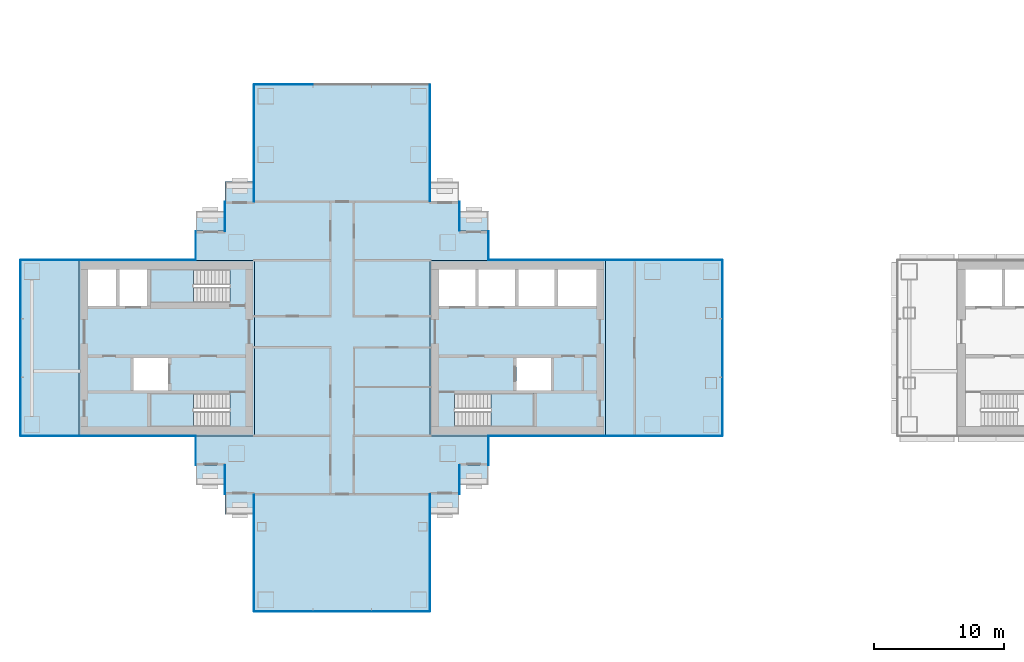
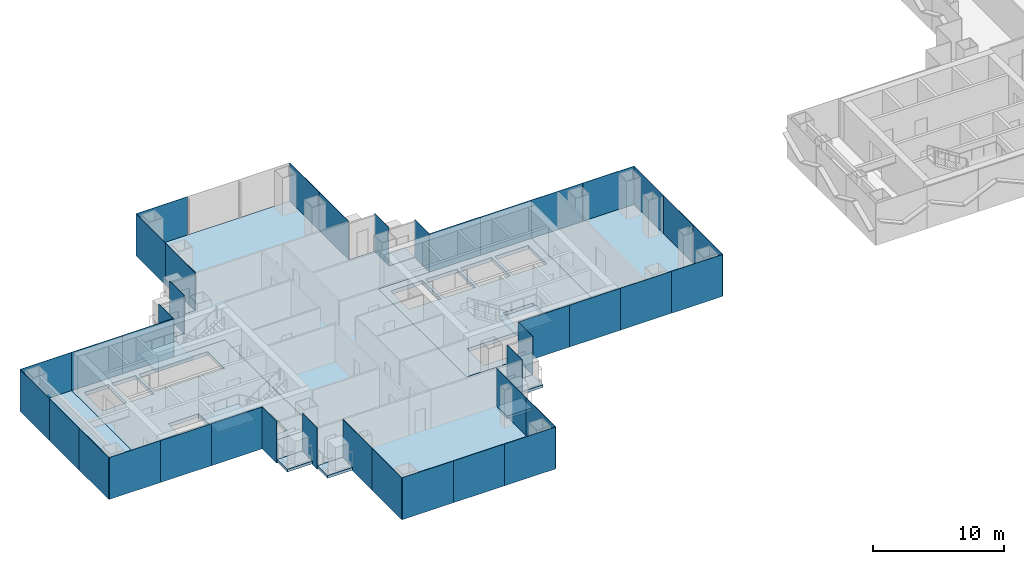
# One storey, part 9 of 20: 40 plates, 15 slabs, 23 elements without a shape of their own.
"""IFC4 building model written with IfcOpenShell, lengths in metres."""

from ifc_helpers import new_model, si_unit, direction, frame, origin, origin_2d, place, context, subcontext, project, spatial, polyline, rectangle, outline, extrude, material, layer, layer_set, type_object, element, aggregate, save


model = new_model("IFC4")

# Units and contexts
model_context = context("Model", 3, precision=1e-05, world=origin(), true_north=direction((0.0, 1.0)))
body_context = subcontext(model_context, "Body", "Model", "MODEL_VIEW")
ifc_project = project(units=[si_unit("LENGTHUNIT", "METRE"), si_unit("AREAUNIT", "SQUARE_METRE"), si_unit("VOLUMEUNIT", "CUBIC_METRE"), si_unit("PLANEANGLEUNIT", "RADIAN"), si_unit("MASSUNIT", "GRAM", prefix="KILO")], contexts=[model_context])

# Site, building, storey
site_placement = place(None, origin())
site = spatial("IfcSite", under=ifc_project, at=site_placement, CompositionType="ELEMENT")
building_placement = place(site_placement, origin())
building = spatial("IfcBuilding", under=site, at=building_placement, Name="Shamsa Quay Exchange Towers", CompositionType="ELEMENT")
storey_placement = place(building_placement, frame((0.0, 0.0, 101.39990234375)))
storey = spatial("IfcBuildingStorey", under=building, at=storey_placement, Name="L23", CompositionType="ELEMENT", Elevation=101.39990234375)

# Slabs
ifc_material_1 = material(Name="Precast concrete C40/50", Category="concrete")
ifc_layer_1 = layer(ifc_material_1, 0.25)
ifc_layer_set_1 = layer_set([ifc_layer_1], Name="BALCONY SLAB 250")
slab_type_1 = type_object("IfcSlabType", Name="BALCONY SLAB 250", PredefinedType="FLOOR", material=ifc_layer_set_1)
slab_1_placement = place(storey_placement, frame((0.0, 0.0, -0.25)))
element("IfcSlab", 1, at=slab_1_placement, inside=storey, type_object=slab_type_1, Name="Balcony T1-PKEN L23", PredefinedType="FLOOR", context=body_context, shape_type="SweptSolid", body=[
    extrude(outline(polyline([(-22.5, 9.0), (-24.7119140625, 9.0), (-24.7119140625, 10.550048828125), (-22.5, 10.550048828125), (-22.5, 9.0)])), origin(), (0.0, 0.0, 1.0), 0.25),
])
slab_2_placement = place(storey_placement, frame((0.0, 0.0, -0.25)))
element("IfcSlab", 2, at=slab_2_placement, inside=storey, type_object=slab_type_1, Name="Balcony T1-PKES L23", PredefinedType="FLOOR", context=body_context, shape_type="SweptSolid", body=[
    extrude(outline(polyline([(-24.7119140625, -9.0), (-22.5, -9.0), (-22.5, -10.550048828125), (-24.7119140625, -10.550048828125), (-24.7119140625, -9.0)])), origin(), (0.0, 0.0, 1.0), 0.25),
])
slab_3_placement = place(storey_placement, frame((0.0, 0.0, -0.25)))
element("IfcSlab", 3, at=slab_3_placement, inside=storey, type_object=slab_type_1, Name="Balcony T1-PKES L23", PredefinedType="FLOOR", context=body_context, shape_type="SweptSolid", body=[
    extrude(outline(polyline([(-26.9619140625, -11.25), (-24.75, -11.25), (-24.75, -12.800048828125), (-26.9619140625, -12.800048828125), (-26.9619140625, -11.25)])), origin(), (0.0, 0.0, 1.0), 0.25),
])
slab_4_placement = place(storey_placement, frame((0.0, 0.0, -0.25)))
element("IfcSlab", 4, at=slab_4_placement, inside=storey, type_object=slab_type_1, Name="Balcony T1-PKWN L23", PredefinedType="FLOOR", context=body_context, shape_type="SweptSolid", body=[
    extrude(outline(polyline([(-40.5380859375, 11.25), (-42.75, 11.25), (-42.75, 12.800048828125), (-40.5380859375, 12.800048828125), (-40.5380859375, 11.25)])), origin(), (0.0, 0.0, 1.0), 0.25),
])
slab_5_placement = place(storey_placement, frame((0.0, 0.0, -0.25)))
element("IfcSlab", 5, at=slab_5_placement, inside=storey, type_object=slab_type_1, Name="Balcony T1-PKWN L23", PredefinedType="FLOOR", context=body_context, shape_type="SweptSolid", body=[
    extrude(outline(polyline([(-42.7880859375, 9.0), (-45.0, 9.0), (-45.0, 10.550048828125), (-42.7880859375, 10.550048828125), (-42.7880859375, 9.0)])), origin(), (0.0, 0.0, 1.0), 0.25),
])
slab_6_placement = place(storey_placement, frame((0.0, 0.0, -0.25)))
element("IfcSlab", 6, at=slab_6_placement, inside=storey, type_object=slab_type_1, Name="Balcony T1-PKWS L23", PredefinedType="FLOOR", context=body_context, shape_type="SweptSolid", body=[
    extrude(outline(polyline([(-45.0, -9.0), (-42.7880859375, -9.0), (-42.7880859375, -10.550048828125), (-45.0, -10.550048828125), (-45.0, -9.0)])), origin(), (0.0, 0.0, 1.0), 0.25),
])
slab_7_placement = place(storey_placement, frame((0.0, 0.0, -0.25)))
element("IfcSlab", 7, at=slab_7_placement, inside=storey, type_object=slab_type_1, Name="Balcony T1-PKWS L23", PredefinedType="FLOOR", context=body_context, shape_type="SweptSolid", body=[
    extrude(outline(polyline([(-42.75, -11.25), (-40.5380859375, -11.25), (-40.5380859375, -12.800048828125), (-42.75, -12.800048828125), (-42.75, -11.25)])), origin(), (0.0, 0.0, 1.0), 0.25),
])
ifc_material_2 = material(Name="Concrete C50/60", Category="concrete")
ifc_layer_2 = layer(ifc_material_2, 0.35009765625)
ifc_layer_set_2 = layer_set([ifc_layer_2], Name="CORE FLOOR 350 C50/60")
slab_type_2 = type_object("IfcSlabType", Name="CORE FLOOR 350 C50/60", PredefinedType="FLOOR", material=ifc_layer_set_2)
slab_8_placement = place(storey_placement, frame((0.0, 0.0, -0.349853515625)))
element("IfcSlab", 8, at=slab_8_placement, inside=storey, type_object=slab_type_2, Name="Core floor T1A", PredefinedType="FLOOR", context=body_context, shape_type="SweptSolid", body=[
    extrude(outline(polyline([(-27.0, -6.75), (-13.5, -6.75), (-13.5, 6.75), (-27.0, 6.75), (-27.0, -6.75)]), holes=[polyline([(-25.099365234375, -6.050048828125), (-25.099365234375, -3.5), (-19.0, -3.5), (-19.0, -6.050048828125), (-25.099365234375, -6.050048828125)]), polyline([(-26.300048828125, 3.25), (-26.300048828125, 6.050048828125), (-23.5, 6.050048828125), (-23.5, 3.25), (-26.300048828125, 3.25)]), polyline([(-23.25, 3.25), (-23.25, 6.050048828125), (-20.449951171875, 6.050048828125), (-20.449951171875, 3.25), (-23.25, 3.25)]), polyline([(-20.199951171875, 3.25), (-20.199951171875, 6.050048828125), (-17.39990234375, 6.050048828125), (-17.39990234375, 3.25), (-20.199951171875, 3.25)]), polyline([(-17.14990234375, 3.25), (-17.14990234375, 6.050048828125), (-14.199951171875, 6.050048828125), (-14.199951171875, 3.25), (-17.14990234375, 3.25)]), polyline([(-20.35009765625, -3.25), (-20.35009765625, -0.75), (-17.699951171875, -0.75), (-17.699951171875, -3.25), (-20.35009765625, -3.25)])]), origin(), (0.0, 0.0, 1.0), 0.349853515625),
])
slab_9_placement = place(storey_placement, frame((0.0, 0.0, -0.349853515625)))
element("IfcSlab", 9, at=slab_9_placement, inside=storey, type_object=slab_type_2, Name="Core floor T1B", PredefinedType="FLOOR", context=body_context, shape_type="SweptSolid", body=[
    extrude(outline(polyline([(-40.5, -6.75), (-40.5, 6.75), (-54.0, 6.75), (-54.0, -6.75), (-40.5, -6.75)]), holes=[polyline([(-42.400634765625, -3.5), (-42.400634765625, -6.050048828125), (-48.5, -6.050048828125), (-48.5, -3.5), (-42.400634765625, -3.5)]), polyline([(-42.400634765625, 6.050048828125), (-42.400634765625, 3.5), (-48.5, 3.5), (-48.5, 6.050048828125), (-42.400634765625, 6.050048828125)]), polyline([(-48.75, 3.25), (-50.89990234375, 3.25), (-50.89990234375, 6.050048828125), (-48.75, 6.050048828125), (-48.75, 3.25)]), polyline([(-51.14990234375, 3.25), (-53.300048828125, 3.25), (-53.300048828125, 6.050048828125), (-51.14990234375, 6.050048828125), (-51.14990234375, 3.25)]), polyline([(-47.14990234375, -3.25), (-49.800048828125, -3.25), (-49.800048828125, -0.75), (-47.14990234375, -0.75), (-47.14990234375, -3.25)])]), origin(), (0.0, 0.0, 1.0), 0.349853515625),
])

# Stair, slab
ifc_material_3 = material(Name="Concrete C40/50", Category="concrete")
stair_type = type_object("IfcStairType", Name="EXIT STAIR 22 RISERS 177 MM", PredefinedType="HALF_TURN_STAIR", material=ifc_material_3)
stair_1_placement = place(storey_placement, origin())
stair_1 = element("IfcStair", 10, at=stair_1_placement, inside=storey, type_object=stair_type, Name="L23 Exit stair ST1", PredefinedType="HALF_TURN_STAIR")
ifc_layer_3 = layer(ifc_material_3, 0.199951171875)
ifc_layer_set_3 = layer_set([ifc_layer_3], Name="CORE STAIR LANDING")
slab_type_3 = type_object("IfcSlabType", Name="CORE STAIR LANDING", PredefinedType="LANDING", material=ifc_layer_set_3)
slab_10_placement = place(storey_placement, frame((0.0, 0.0, 1.75)))
slab_10 = element("IfcSlab", 11, at=slab_10_placement, type_object=slab_type_3, Name="ST1 landing 1", PredefinedType="LANDING", context=body_context, shape_type="SweptSolid", body=[
    extrude(outline(polyline([(-22.300048828125, -6.050048828125), (-19.0, -6.050048828125), (-19.0, -3.5), (-22.300048828125, -3.5), (-22.300048828125, -6.050048828125)])), origin(), (0.0, 0.0, 1.0), 0.2001953125),
])
aggregate(stair_1, [slab_10])

stair_2_placement = place(storey_placement, origin())
stair_2 = element("IfcStair", 12, at=stair_2_placement, inside=storey, type_object=stair_type, Name="L23 Exit stair ST2", PredefinedType="HALF_TURN_STAIR")
slab_11_placement = place(storey_placement, frame((0.0, 0.0, 1.75)))
slab_11 = element("IfcSlab", 13, at=slab_11_placement, type_object=slab_type_3, Name="ST2 landing 1", PredefinedType="LANDING", context=body_context, shape_type="SweptSolid", body=[
    extrude(outline(polyline([(-45.199951171875, -3.5), (-48.5, -3.5), (-48.5, -6.050048828125), (-45.199951171875, -6.050048828125), (-45.199951171875, -3.5)])), origin(), (0.0, 0.0, 1.0), 0.2001953125),
])
aggregate(stair_2, [slab_11])

stair_3_placement = place(storey_placement, origin())
stair_3 = element("IfcStair", 14, at=stair_3_placement, inside=storey, type_object=stair_type, Name="L23 Exit stair ST3", PredefinedType="HALF_TURN_STAIR")
slab_12_placement = place(storey_placement, frame((0.0, 0.0, 1.75)))
slab_12 = element("IfcSlab", 15, at=slab_12_placement, type_object=slab_type_3, Name="ST3 landing 1", PredefinedType="LANDING", context=body_context, shape_type="SweptSolid", body=[
    extrude(outline(polyline([(-45.199951171875, 6.050048828125), (-48.5, 6.050048828125), (-48.5, 3.5), (-45.199951171875, 3.5), (-45.199951171875, 6.050048828125)])), origin(), (0.0, 0.0, 1.0), 0.2001953125),
])
aggregate(stair_3, [slab_12])

# Curtain wall, plates
ifc_material_4 = material(Name="Aluminium EN AW-6063 T6, black anodised", Category="aluminium")
ifc_layer_4 = layer(ifc_material_4, 0.280029296875)
ifc_layer_set_4 = layer_set([ifc_layer_4], Name="CW-1 UNITISED VISION GLASS")
curtain_wall_type_1 = type_object("IfcCurtainWallType", Name="CW-1 UNITISED VISION GLASS", PredefinedType="NOTDEFINED", material=ifc_layer_set_4)
curtain_wall_1_placement = place(storey_placement, origin())
curtain_wall_1 = element("IfcCurtainWall", 16, at=curtain_wall_1_placement, inside=storey, type_object=curtain_wall_type_1, Name="CW1 T1-FLK-V-W L23", PredefinedType="NOTDEFINED")
ifc_material_5 = material(Name="Glass, laminated, dark tinted", Category="glass")
ifc_layer_5 = layer(ifc_material_5, 0.0400390625)
ifc_layer_set_5 = layer_set([ifc_layer_5], Name="CW-1 VISION GLASS 40")
plate_type_1 = type_object("IfcPlateType", Name="CW-1 VISION GLASS 40", PredefinedType="CURTAIN_PANEL", material=ifc_layer_set_5)
plate_1_placement = place(storey_placement, frame((-40.52001953125, -13.52587890625, -0.349853515625), z_axis=(0.0, 0.0, 1.0), x_axis=(0.0, -1.0, 0.0)))
plate_1 = element("IfcPlate", 17, at=plate_1_placement, type_object=plate_type_1, Name="CW1 glass panel", PredefinedType="CURTAIN_PANEL", context=body_context, shape_type="SweptSolid", body=[
    extrude(rectangle(XDim=4.47607421875, YDim=0.0400390625, at=origin_2d()), origin(), (0.0, 0.0, 1.0), 3.89990234375),
])
plate_2_placement = place(storey_placement, frame((-40.52001953125, -18.011962890625, -0.349853515625), z_axis=(0.0, 0.0, 1.0), x_axis=(0.0, -1.0, 0.0)))
plate_2 = element("IfcPlate", 18, at=plate_2_placement, type_object=plate_type_1, Name="CW1 glass panel", PredefinedType="CURTAIN_PANEL", context=body_context, shape_type="SweptSolid", body=[
    extrude(rectangle(XDim=4.47607421875, YDim=0.0400390625, at=origin_2d()), origin(), (0.0, 0.0, 1.0), 3.89990234375),
])
aggregate(curtain_wall_1, [plate_1, plate_2])

curtain_wall_2_placement = place(storey_placement, origin())
curtain_wall_2 = element("IfcCurtainWall", 19, at=curtain_wall_2_placement, inside=storey, type_object=curtain_wall_type_1, Name="CW1 T1-END-V- L23", PredefinedType="NOTDEFINED")
plate_3_placement = place(storey_placement, frame((-38.25244140625, -20.27001953125, -0.349853515625)))
plate_3 = element("IfcPlate", 20, at=plate_3_placement, type_object=plate_type_1, Name="CW1 glass panel", PredefinedType="CURTAIN_PANEL", context=body_context, shape_type="SweptSolid", body=[
    extrude(rectangle(XDim=4.4951171875, YDim=0.0400390625, at=origin_2d()), origin(), (0.0, 0.0, 1.0), 3.89990234375),
])
plate_4_placement = place(storey_placement, frame((-33.75, -20.27001953125, -0.349853515625)))
plate_4 = element("IfcPlate", 21, at=plate_4_placement, type_object=plate_type_1, Name="CW1 glass panel", PredefinedType="CURTAIN_PANEL", context=body_context, shape_type="SweptSolid", body=[
    extrude(rectangle(XDim=4.489990234375, YDim=0.0400390625, at=origin_2d()), origin(), (0.0, 0.0, 1.0), 3.89990234375),
])
plate_5_placement = place(storey_placement, frame((-29.24755859375, -20.27001953125, -0.349853515625)))
plate_5 = element("IfcPlate", 22, at=plate_5_placement, type_object=plate_type_1, Name="CW1 glass panel", PredefinedType="CURTAIN_PANEL", context=body_context, shape_type="SweptSolid", body=[
    extrude(rectangle(XDim=4.4951171875, YDim=0.0400390625, at=origin_2d()), origin(), (0.0, 0.0, 1.0), 3.89990234375),
])
aggregate(curtain_wall_2, [plate_3, plate_4, plate_5])

curtain_wall_3_placement = place(storey_placement, origin())
curtain_wall_3 = element("IfcCurtainWall", 23, at=curtain_wall_3_placement, inside=storey, type_object=curtain_wall_type_1, Name="CW1 T1-FLK-V-E L23", PredefinedType="NOTDEFINED")
plate_6_placement = place(storey_placement, frame((-26.97998046875, -18.00244140625, -0.349853515625), z_axis=(0.0, 0.0, 1.0), x_axis=(0.0, 1.0, 0.0)))
plate_6 = element("IfcPlate", 24, at=plate_6_placement, type_object=plate_type_1, Name="CW1 glass panel", PredefinedType="CURTAIN_PANEL", context=body_context, shape_type="SweptSolid", body=[
    extrude(rectangle(XDim=4.4951171875, YDim=0.0400390625, at=origin_2d()), origin(), (0.0, 0.0, 1.0), 3.89990234375),
])
plate_7_placement = place(storey_placement, frame((-26.97998046875, -13.49755859375, -0.349853515625), z_axis=(0.0, 0.0, 1.0), x_axis=(0.0, 1.0, 0.0)))
plate_7 = element("IfcPlate", 25, at=plate_7_placement, type_object=plate_type_1, Name="CW1 glass panel", PredefinedType="CURTAIN_PANEL", context=body_context, shape_type="SweptSolid", body=[
    extrude(rectangle(XDim=4.4951171875, YDim=0.0400390625, at=origin_2d()), origin(), (0.0, 0.0, 1.0), 3.89990234375),
])
aggregate(curtain_wall_3, [plate_6, plate_7])

curtain_wall_4_placement = place(storey_placement, origin())
curtain_wall_4 = element("IfcCurtainWall", 26, at=curtain_wall_4_placement, inside=storey, type_object=curtain_wall_type_1, Name="CW1 T1-FLK-U+S L23", PredefinedType="NOTDEFINED")
plate_8_placement = place(storey_placement, frame((-11.25244140625, -6.77001953125, -0.349853515625)))
plate_8 = element("IfcPlate", 27, at=plate_8_placement, type_object=plate_type_1, Name="CW1 glass panel", PredefinedType="CURTAIN_PANEL", context=body_context, shape_type="SweptSolid", body=[
    extrude(rectangle(XDim=4.4951171875, YDim=0.0400390625, at=origin_2d()), origin(), (0.0, 0.0, 1.0), 3.89990234375),
])
plate_9_placement = place(storey_placement, frame((-6.74755859375, -6.77001953125, -0.349853515625)))
plate_9 = element("IfcPlate", 28, at=plate_9_placement, type_object=plate_type_1, Name="CW1 glass panel", PredefinedType="CURTAIN_PANEL", context=body_context, shape_type="SweptSolid", body=[
    extrude(rectangle(XDim=4.4951171875, YDim=0.0400390625, at=origin_2d()), origin(), (0.0, 0.0, 1.0), 3.89990234375),
])
aggregate(curtain_wall_4, [plate_8, plate_9])

curtain_wall_5_placement = place(storey_placement, origin())
curtain_wall_5 = element("IfcCurtainWall", 29, at=curtain_wall_5_placement, inside=storey, type_object=curtain_wall_type_1, Name="CW1 T1-END-U+ L23", PredefinedType="NOTDEFINED")
plate_10_placement = place(storey_placement, frame((-4.47998046875, -4.50244140625, -0.349853515625), z_axis=(0.0, 0.0, 1.0), x_axis=(0.0, 1.0, 0.0)))
plate_10 = element("IfcPlate", 30, at=plate_10_placement, type_object=plate_type_1, Name="CW1 glass panel", PredefinedType="CURTAIN_PANEL", context=body_context, shape_type="SweptSolid", body=[
    extrude(rectangle(XDim=4.4951171875, YDim=0.0400390625, at=origin_2d()), origin(), (0.0, 0.0, 1.0), 3.89990234375),
])
plate_11_placement = place(storey_placement, frame((-4.47998046875, 0.0, -0.349853515625), z_axis=(0.0, 0.0, 1.0), x_axis=(0.0, 1.0, 0.0)))
plate_11 = element("IfcPlate", 31, at=plate_11_placement, type_object=plate_type_1, Name="CW1 glass panel", PredefinedType="CURTAIN_PANEL", context=body_context, shape_type="SweptSolid", body=[
    extrude(rectangle(XDim=4.489990234375, YDim=0.0400390625, at=origin_2d()), origin(), (0.0, 0.0, 1.0), 3.89990234375),
])
plate_12_placement = place(storey_placement, frame((-4.47998046875, 4.50244140625, -0.349853515625), z_axis=(0.0, 0.0, 1.0), x_axis=(0.0, 1.0, 0.0)))
plate_12 = element("IfcPlate", 32, at=plate_12_placement, type_object=plate_type_1, Name="CW1 glass panel", PredefinedType="CURTAIN_PANEL", context=body_context, shape_type="SweptSolid", body=[
    extrude(rectangle(XDim=4.4951171875, YDim=0.0400390625, at=origin_2d()), origin(), (0.0, 0.0, 1.0), 3.89990234375),
])
aggregate(curtain_wall_5, [plate_10, plate_11, plate_12])

curtain_wall_6_placement = place(storey_placement, origin())
curtain_wall_6 = element("IfcCurtainWall", 33, at=curtain_wall_6_placement, inside=storey, type_object=curtain_wall_type_1, Name="CW1 T1-FLK-U+N L23", PredefinedType="NOTDEFINED")
plate_13_placement = place(storey_placement, frame((-6.74755859375, 6.77001953125, -0.349853515625), z_axis=(0.0, 0.0, 1.0), x_axis=(-1.0, 0.0, 0.0)))
plate_13 = element("IfcPlate", 34, at=plate_13_placement, type_object=plate_type_1, Name="CW1 glass panel", PredefinedType="CURTAIN_PANEL", context=body_context, shape_type="SweptSolid", body=[
    extrude(rectangle(XDim=4.4951171875, YDim=0.0400390625, at=origin_2d()), origin(), (0.0, 0.0, 1.0), 3.89990234375),
])
plate_14_placement = place(storey_placement, frame((-11.25244140625, 6.77001953125, -0.349853515625), z_axis=(0.0, 0.0, 1.0), x_axis=(-1.0, 0.0, 0.0)))
plate_14 = element("IfcPlate", 35, at=plate_14_placement, type_object=plate_type_1, Name="CW1 glass panel", PredefinedType="CURTAIN_PANEL", context=body_context, shape_type="SweptSolid", body=[
    extrude(rectangle(XDim=4.4951171875, YDim=0.0400390625, at=origin_2d()), origin(), (0.0, 0.0, 1.0), 3.89990234375),
])
aggregate(curtain_wall_6, [plate_13, plate_14])

curtain_wall_7_placement = place(storey_placement, origin())
curtain_wall_7 = element("IfcCurtainWall", 36, at=curtain_wall_7_placement, inside=storey, type_object=curtain_wall_type_1, Name="CW1 T1-FLK-V+E L23", PredefinedType="NOTDEFINED")
plate_15_placement = place(storey_placement, frame((-26.97998046875, 13.52587890625, -0.349853515625), z_axis=(0.0, 0.0, 1.0), x_axis=(0.0, 1.0, 0.0)))
plate_15 = element("IfcPlate", 37, at=plate_15_placement, type_object=plate_type_1, Name="CW1 glass panel", PredefinedType="CURTAIN_PANEL", context=body_context, shape_type="SweptSolid", body=[
    extrude(rectangle(XDim=4.47607421875, YDim=0.0400390625, at=origin_2d()), origin(), (0.0, 0.0, 1.0), 3.89990234375),
])
plate_16_placement = place(storey_placement, frame((-26.97998046875, 18.011962890625, -0.349853515625), z_axis=(0.0, 0.0, 1.0), x_axis=(0.0, 1.0, 0.0)))
plate_16 = element("IfcPlate", 38, at=plate_16_placement, type_object=plate_type_1, Name="CW1 glass panel", PredefinedType="CURTAIN_PANEL", context=body_context, shape_type="SweptSolid", body=[
    extrude(rectangle(XDim=4.47607421875, YDim=0.0400390625, at=origin_2d()), origin(), (0.0, 0.0, 1.0), 3.89990234375),
])
aggregate(curtain_wall_7, [plate_15, plate_16])

# Curtain wall, plate
curtain_wall_8_placement = place(storey_placement, origin())
curtain_wall_8 = element("IfcCurtainWall", 39, at=curtain_wall_8_placement, inside=storey, type_object=curtain_wall_type_1, Name="CW1 T1-END-V+ L23", PredefinedType="NOTDEFINED")
plate_17_placement = place(storey_placement, frame((-38.25244140625, 20.27001953125, -0.349853515625), z_axis=(0.0, 0.0, 1.0), x_axis=(-1.0, 0.0, 0.0)))
plate_17 = element("IfcPlate", 40, at=plate_17_placement, type_object=plate_type_1, Name="CW1 glass panel", PredefinedType="CURTAIN_PANEL", context=body_context, shape_type="SweptSolid", body=[
    extrude(rectangle(XDim=4.4951171875, YDim=0.0400390625, at=origin_2d()), origin(), (0.0, 0.0, 1.0), 3.89990234375),
])
aggregate(curtain_wall_8, [plate_17])

# Curtain wall, plates
curtain_wall_9_placement = place(storey_placement, origin())
curtain_wall_9 = element("IfcCurtainWall", 41, at=curtain_wall_9_placement, inside=storey, type_object=curtain_wall_type_1, Name="CW1 T1-FLK-V+W L23", PredefinedType="NOTDEFINED")
plate_18_placement = place(storey_placement, frame((-40.52001953125, 18.00244140625, -0.349853515625), z_axis=(0.0, 0.0, 1.0), x_axis=(0.0, -1.0, 0.0)))
plate_18 = element("IfcPlate", 42, at=plate_18_placement, type_object=plate_type_1, Name="CW1 glass panel", PredefinedType="CURTAIN_PANEL", context=body_context, shape_type="SweptSolid", body=[
    extrude(rectangle(XDim=4.4951171875, YDim=0.0400390625, at=origin_2d()), origin(), (0.0, 0.0, 1.0), 3.89990234375),
])
plate_19_placement = place(storey_placement, frame((-40.52001953125, 13.49755859375, -0.349853515625), z_axis=(0.0, 0.0, 1.0), x_axis=(0.0, -1.0, 0.0)))
plate_19 = element("IfcPlate", 43, at=plate_19_placement, type_object=plate_type_1, Name="CW1 glass panel", PredefinedType="CURTAIN_PANEL", context=body_context, shape_type="SweptSolid", body=[
    extrude(rectangle(XDim=4.4951171875, YDim=0.0400390625, at=origin_2d()), origin(), (0.0, 0.0, 1.0), 3.89990234375),
])
aggregate(curtain_wall_9, [plate_18, plate_19])

# Curtain wall, plate
curtain_wall_10_placement = place(storey_placement, origin())
curtain_wall_10 = element("IfcCurtainWall", 44, at=curtain_wall_10_placement, inside=storey, type_object=curtain_wall_type_1, Name="CW1 T1-FLK-U-N L23", PredefinedType="NOTDEFINED")
plate_20_placement = place(storey_placement, frame((-56.25, 6.77001953125, -0.349853515625), z_axis=(0.0, 0.0, 1.0), x_axis=(-1.0, 0.0, 0.0)))
plate_20 = element("IfcPlate", 45, at=plate_20_placement, type_object=plate_type_1, Name="CW1 glass panel", PredefinedType="CURTAIN_PANEL", context=body_context, shape_type="SweptSolid", body=[
    extrude(rectangle(XDim=4.5, YDim=0.0400390625, at=origin_2d()), origin(), (0.0, 0.0, 1.0), 3.89990234375),
])
aggregate(curtain_wall_10, [plate_20])

# Curtain wall, plates
curtain_wall_11_placement = place(storey_placement, origin())
curtain_wall_11 = element("IfcCurtainWall", 46, at=curtain_wall_11_placement, inside=storey, type_object=curtain_wall_type_1, Name="CW1 T1-END-U- L23", PredefinedType="NOTDEFINED")
plate_21_placement = place(storey_placement, frame((-58.52001953125, 4.50244140625, -0.349853515625), z_axis=(0.0, 0.0, 1.0), x_axis=(0.0, -1.0, 0.0)))
plate_21 = element("IfcPlate", 47, at=plate_21_placement, type_object=plate_type_1, Name="CW1 glass panel", PredefinedType="CURTAIN_PANEL", context=body_context, shape_type="SweptSolid", body=[
    extrude(rectangle(XDim=4.4951171875, YDim=0.0400390625, at=origin_2d()), origin(), (0.0, 0.0, 1.0), 3.89990234375),
])
plate_22_placement = place(storey_placement, frame((-58.52001953125, 0.0, -0.349853515625), z_axis=(0.0, 0.0, 1.0), x_axis=(0.0, -1.0, 0.0)))
plate_22 = element("IfcPlate", 48, at=plate_22_placement, type_object=plate_type_1, Name="CW1 glass panel", PredefinedType="CURTAIN_PANEL", context=body_context, shape_type="SweptSolid", body=[
    extrude(rectangle(XDim=4.489990234375, YDim=0.0400390625, at=origin_2d()), origin(), (0.0, 0.0, 1.0), 3.89990234375),
])
plate_23_placement = place(storey_placement, frame((-58.52001953125, -4.50244140625, -0.349853515625), z_axis=(0.0, 0.0, 1.0), x_axis=(0.0, -1.0, 0.0)))
plate_23 = element("IfcPlate", 49, at=plate_23_placement, type_object=plate_type_1, Name="CW1 glass panel", PredefinedType="CURTAIN_PANEL", context=body_context, shape_type="SweptSolid", body=[
    extrude(rectangle(XDim=4.4951171875, YDim=0.0400390625, at=origin_2d()), origin(), (0.0, 0.0, 1.0), 3.89990234375),
])
aggregate(curtain_wall_11, [plate_21, plate_22, plate_23])

# Curtain wall, plate
curtain_wall_12_placement = place(storey_placement, origin())
curtain_wall_12 = element("IfcCurtainWall", 50, at=curtain_wall_12_placement, inside=storey, type_object=curtain_wall_type_1, Name="CW1 T1-FLK-U-S L23", PredefinedType="NOTDEFINED")
plate_24_placement = place(storey_placement, frame((-56.25, -6.77001953125, -0.349853515625)))
plate_24 = element("IfcPlate", 51, at=plate_24_placement, type_object=plate_type_1, Name="CW1 glass panel", PredefinedType="CURTAIN_PANEL", context=body_context, shape_type="SweptSolid", body=[
    extrude(rectangle(XDim=4.5, YDim=0.0400390625, at=origin_2d()), origin(), (0.0, 0.0, 1.0), 3.89990234375),
])
aggregate(curtain_wall_12, [plate_24])

# Curtain wall, plates
ifc_layer_6 = layer(ifc_material_4, 0.303955078125)
ifc_layer_set_6 = layer_set([ifc_layer_6], Name="CW-2 UNITISED OPAQUE SPANDREL GLASS")
curtain_wall_type_2 = type_object("IfcCurtainWallType", Name="CW-2 UNITISED OPAQUE SPANDREL GLASS", PredefinedType="NOTDEFINED", material=ifc_layer_set_6)
curtain_wall_13_placement = place(storey_placement, origin())
curtain_wall_13 = element("IfcCurtainWall", 52, at=curtain_wall_13_placement, inside=storey, type_object=curtain_wall_type_2, Name="CW2 T1-FLK-U+S L23", PredefinedType="NOTDEFINED")
ifc_material_6 = material(Name="Glass, laminated, black enamelled opaque", Category="glass")
ifc_layer_7 = layer(ifc_material_6, 0.0439453125)
ifc_layer_set_7 = layer_set([ifc_layer_7], Name="CW-2 SPANDREL GLASS 44")
plate_type_2 = type_object("IfcPlateType", Name="CW-2 SPANDREL GLASS 44", PredefinedType="CURTAIN_PANEL", material=ifc_layer_set_7)
plate_25_placement = place(storey_placement, frame((-20.22412109375, -6.77197265625, -0.349853515625)))
plate_25 = element("IfcPlate", 53, at=plate_25_placement, type_object=plate_type_2, Name="CW2 glass panel", PredefinedType="CURTAIN_PANEL", context=body_context, shape_type="SweptSolid", body=[
    extrude(rectangle(XDim=4.47607421875, YDim=0.0439453125, at=origin_2d()), origin(), (0.0, 0.0, 1.0), 3.89990234375),
])
plate_26_placement = place(storey_placement, frame((-15.738037109375, -6.77197265625, -0.349853515625)))
plate_26 = element("IfcPlate", 54, at=plate_26_placement, type_object=plate_type_2, Name="CW2 glass panel", PredefinedType="CURTAIN_PANEL", context=body_context, shape_type="SweptSolid", body=[
    extrude(rectangle(XDim=4.47607421875, YDim=0.0439453125, at=origin_2d()), origin(), (0.0, 0.0, 1.0), 3.89990234375),
])
aggregate(curtain_wall_13, [plate_25, plate_26])

curtain_wall_14_placement = place(storey_placement, origin())
curtain_wall_14 = element("IfcCurtainWall", 55, at=curtain_wall_14_placement, inside=storey, type_object=curtain_wall_type_2, Name="CW2 T1-FLK-U+N L23", PredefinedType="NOTDEFINED")
plate_27_placement = place(storey_placement, frame((-15.74755859375, 6.77197265625, -0.349853515625), z_axis=(0.0, 0.0, 1.0), x_axis=(-1.0, 0.0, 0.0)))
plate_27 = element("IfcPlate", 56, at=plate_27_placement, type_object=plate_type_2, Name="CW2 glass panel", PredefinedType="CURTAIN_PANEL", context=body_context, shape_type="SweptSolid", body=[
    extrude(rectangle(XDim=4.4951171875, YDim=0.0439453125, at=origin_2d()), origin(), (0.0, 0.0, 1.0), 3.89990234375),
])
plate_28_placement = place(storey_placement, frame((-20.25244140625, 6.77197265625, -0.349853515625), z_axis=(0.0, 0.0, 1.0), x_axis=(-1.0, 0.0, 0.0)))
plate_28 = element("IfcPlate", 57, at=plate_28_placement, type_object=plate_type_2, Name="CW2 glass panel", PredefinedType="CURTAIN_PANEL", context=body_context, shape_type="SweptSolid", body=[
    extrude(rectangle(XDim=4.4951171875, YDim=0.0439453125, at=origin_2d()), origin(), (0.0, 0.0, 1.0), 3.89990234375),
])
aggregate(curtain_wall_14, [plate_27, plate_28])

curtain_wall_15_placement = place(storey_placement, origin())
curtain_wall_15 = element("IfcCurtainWall", 58, at=curtain_wall_15_placement, inside=storey, type_object=curtain_wall_type_2, Name="CW2 T1-FLK-U-N L23", PredefinedType="NOTDEFINED")
plate_29_placement = place(storey_placement, frame((-47.27587890625, 6.77197265625, -0.349853515625), z_axis=(0.0, 0.0, 1.0), x_axis=(-1.0, 0.0, 0.0)))
plate_29 = element("IfcPlate", 59, at=plate_29_placement, type_object=plate_type_2, Name="CW2 glass panel", PredefinedType="CURTAIN_PANEL", context=body_context, shape_type="SweptSolid", body=[
    extrude(rectangle(XDim=4.47607421875, YDim=0.0439453125, at=origin_2d()), origin(), (0.0, 0.0, 1.0), 3.89990234375),
])
plate_30_placement = place(storey_placement, frame((-51.761962890625, 6.77197265625, -0.349853515625), z_axis=(0.0, 0.0, 1.0), x_axis=(-1.0, 0.0, 0.0)))
plate_30 = element("IfcPlate", 60, at=plate_30_placement, type_object=plate_type_2, Name="CW2 glass panel", PredefinedType="CURTAIN_PANEL", context=body_context, shape_type="SweptSolid", body=[
    extrude(rectangle(XDim=4.47607421875, YDim=0.0439453125, at=origin_2d()), origin(), (0.0, 0.0, 1.0), 3.89990234375),
])
aggregate(curtain_wall_15, [plate_29, plate_30])

curtain_wall_16_placement = place(storey_placement, origin())
curtain_wall_16 = element("IfcCurtainWall", 61, at=curtain_wall_16_placement, inside=storey, type_object=curtain_wall_type_2, Name="CW2 T1-FLK-U-S L23", PredefinedType="NOTDEFINED")
plate_31_placement = place(storey_placement, frame((-51.75244140625, -6.77197265625, -0.349853515625)))
plate_31 = element("IfcPlate", 62, at=plate_31_placement, type_object=plate_type_2, Name="CW2 glass panel", PredefinedType="CURTAIN_PANEL", context=body_context, shape_type="SweptSolid", body=[
    extrude(rectangle(XDim=4.4951171875, YDim=0.0439453125, at=origin_2d()), origin(), (0.0, 0.0, 1.0), 3.89990234375),
])
plate_32_placement = place(storey_placement, frame((-47.24755859375, -6.77197265625, -0.349853515625)))
plate_32 = element("IfcPlate", 63, at=plate_32_placement, type_object=plate_type_2, Name="CW2 glass panel", PredefinedType="CURTAIN_PANEL", context=body_context, shape_type="SweptSolid", body=[
    extrude(rectangle(XDim=4.4951171875, YDim=0.0439453125, at=origin_2d()), origin(), (0.0, 0.0, 1.0), 3.89990234375),
])
aggregate(curtain_wall_16, [plate_31, plate_32])

ifc_layer_8 = layer(ifc_material_4, 0.256103515625)
ifc_layer_set_8 = layer_set([ifc_layer_8], Name="CW-4 POCKET SERRATED GLAZING")
curtain_wall_type_3 = type_object("IfcCurtainWallType", Name="CW-4 POCKET SERRATED GLAZING", PredefinedType="NOTDEFINED", material=ifc_layer_set_8)
curtain_wall_17_placement = place(storey_placement, origin())
curtain_wall_17 = element("IfcCurtainWall", 64, at=curtain_wall_17_placement, inside=storey, type_object=curtain_wall_type_3, Name="CW4 PKWS L23", PredefinedType="NOTDEFINED")
ifc_layer_9 = layer(ifc_material_5, 0.035888671875)
ifc_layer_set_9 = layer_set([ifc_layer_9], Name="CW-4 POCKET GLASS 36")
plate_type_3 = type_object("IfcPlateType", Name="CW-4 POCKET GLASS 36", PredefinedType="CURTAIN_PANEL", material=ifc_layer_set_9)
plate_33_placement = place(storey_placement, frame((-42.76806640625, -10.14404296875, -0.349853515625), z_axis=(0.0, 0.0, 1.0), x_axis=(0.0, -1.0, 0.0)))
plate_33 = element("IfcPlate", 65, at=plate_33_placement, type_object=plate_type_3, Name="CW4 glass panel", PredefinedType="CURTAIN_PANEL", context=body_context, shape_type="SweptSolid", body=[
    extrude(rectangle(XDim=2.2119140625, YDim=0.035888671875, at=origin_2d()), origin(), (0.0, 0.0, 1.0), 3.89990234375),
])
plate_34_placement = place(storey_placement, frame((-45.01806640625, -7.89794921875, -0.349853515625), z_axis=(0.0, 0.0, 1.0), x_axis=(0.0, -1.0, 0.0)))
plate_34 = element("IfcPlate", 66, at=plate_34_placement, type_object=plate_type_3, Name="CW4 glass panel", PredefinedType="CURTAIN_PANEL", context=body_context, shape_type="SweptSolid", body=[
    extrude(rectangle(XDim=2.2041015625, YDim=0.035888671875, at=origin_2d()), origin(), (0.0, 0.0, 1.0), 3.89990234375),
])
aggregate(curtain_wall_17, [plate_33, plate_34])

curtain_wall_18_placement = place(storey_placement, origin())
curtain_wall_18 = element("IfcCurtainWall", 67, at=curtain_wall_18_placement, inside=storey, type_object=curtain_wall_type_3, Name="CW4 PKES L23", PredefinedType="NOTDEFINED")
plate_35_placement = place(storey_placement, frame((-24.73193359375, -10.125, -0.349853515625), z_axis=(0.0, 0.0, 1.0), x_axis=(0.0, 1.0, 0.0)))
plate_35 = element("IfcPlate", 68, at=plate_35_placement, type_object=plate_type_3, Name="CW4 glass panel", PredefinedType="CURTAIN_PANEL", context=body_context, shape_type="SweptSolid", body=[
    extrude(rectangle(XDim=2.25, YDim=0.035888671875, at=origin_2d()), origin(), (0.0, 0.0, 1.0), 3.89990234375),
])
plate_36_placement = place(storey_placement, frame((-22.48193359375, -7.875, -0.349853515625), z_axis=(0.0, 0.0, 1.0), x_axis=(0.0, 1.0, 0.0)))
plate_36 = element("IfcPlate", 69, at=plate_36_placement, type_object=plate_type_3, Name="CW4 glass panel", PredefinedType="CURTAIN_PANEL", context=body_context, shape_type="SweptSolid", body=[
    extrude(rectangle(XDim=2.25, YDim=0.035888671875, at=origin_2d()), origin(), (0.0, 0.0, 1.0), 3.89990234375),
])
aggregate(curtain_wall_18, [plate_35, plate_36])

curtain_wall_19_placement = place(storey_placement, origin())
curtain_wall_19 = element("IfcCurtainWall", 70, at=curtain_wall_19_placement, inside=storey, type_object=curtain_wall_type_3, Name="CW4 PKEN L23", PredefinedType="NOTDEFINED")
plate_37_placement = place(storey_placement, frame((-22.48193359375, 7.89794921875, -0.349853515625), z_axis=(0.0, 0.0, 1.0), x_axis=(0.0, 1.0, 0.0)))
plate_37 = element("IfcPlate", 71, at=plate_37_placement, type_object=plate_type_3, Name="CW4 glass panel", PredefinedType="CURTAIN_PANEL", context=body_context, shape_type="SweptSolid", body=[
    extrude(rectangle(XDim=2.2041015625, YDim=0.035888671875, at=origin_2d()), origin(), (0.0, 0.0, 1.0), 3.89990234375),
])
plate_38_placement = place(storey_placement, frame((-24.73193359375, 10.14404296875, -0.349853515625), z_axis=(0.0, 0.0, 1.0), x_axis=(0.0, 1.0, 0.0)))
plate_38 = element("IfcPlate", 72, at=plate_38_placement, type_object=plate_type_3, Name="CW4 glass panel", PredefinedType="CURTAIN_PANEL", context=body_context, shape_type="SweptSolid", body=[
    extrude(rectangle(XDim=2.2119140625, YDim=0.035888671875, at=origin_2d()), origin(), (0.0, 0.0, 1.0), 3.89990234375),
])
aggregate(curtain_wall_19, [plate_37, plate_38])

curtain_wall_20_placement = place(storey_placement, origin())
curtain_wall_20 = element("IfcCurtainWall", 73, at=curtain_wall_20_placement, inside=storey, type_object=curtain_wall_type_3, Name="CW4 PKWN L23", PredefinedType="NOTDEFINED")
plate_39_placement = place(storey_placement, frame((-42.76806640625, 10.125, -0.349853515625), z_axis=(0.0, 0.0, 1.0), x_axis=(0.0, -1.0, 0.0)))
plate_39 = element("IfcPlate", 74, at=plate_39_placement, type_object=plate_type_3, Name="CW4 glass panel", PredefinedType="CURTAIN_PANEL", context=body_context, shape_type="SweptSolid", body=[
    extrude(rectangle(XDim=2.25, YDim=0.035888671875, at=origin_2d()), origin(), (0.0, 0.0, 1.0), 3.89990234375),
])
plate_40_placement = place(storey_placement, frame((-45.01806640625, 7.875, -0.349853515625), z_axis=(0.0, 0.0, 1.0), x_axis=(0.0, -1.0, 0.0)))
plate_40 = element("IfcPlate", 75, at=plate_40_placement, type_object=plate_type_3, Name="CW4 glass panel", PredefinedType="CURTAIN_PANEL", context=body_context, shape_type="SweptSolid", body=[
    extrude(rectangle(XDim=2.25, YDim=0.035888671875, at=origin_2d()), origin(), (0.0, 0.0, 1.0), 3.89990234375),
])
aggregate(curtain_wall_20, [plate_39, plate_40])

# Slabs
ifc_layer_10 = layer(ifc_material_3, 0.35009765625)
ifc_layer_set_10 = layer_set([ifc_layer_10], Name="Flat slab 350")
slab_type_4 = type_object("IfcSlabType", Name="Flat slab 350", PredefinedType="FLOOR", material=ifc_layer_set_10)
slab_13_placement = place(storey_placement, frame((0.0, 0.0, -0.349853515625)))
element("IfcSlab", 76, at=slab_13_placement, inside=storey, type_object=slab_type_4, Name="Flat slab T1 L23 1", PredefinedType="FLOOR", context=body_context, shape_type="SweptSolid", body=[
    extrude(outline(polyline([(-58.5, -6.75), (-54.0, -6.75), (-54.0, 6.75), (-58.5, 6.75), (-58.5, -6.75)])), origin(), (0.0, 0.0, 1.0), 0.349853515625),
])
slab_14_placement = place(storey_placement, frame((0.0, 0.0, -0.349853515625)))
element("IfcSlab", 77, at=slab_14_placement, inside=storey, type_object=slab_type_4, Name="Flat slab T1 L23 2", PredefinedType="FLOOR", context=body_context, shape_type="SweptSolid", body=[
    extrude(outline(polyline([(-22.5, -9.0), (-22.5, -6.75), (-27.0, -6.75), (-27.0, 6.75), (-22.5, 6.75), (-22.5, 9.0), (-24.75, 9.0), (-24.75, 11.25), (-27.0, 11.25), (-27.0, 20.25), (-40.5, 20.25), (-40.5, 11.25), (-42.75, 11.25), (-42.75, 9.0), (-45.0, 9.0), (-45.0, 6.75), (-40.5, 6.75), (-40.5, -6.75), (-45.0, -6.75), (-45.0, -9.0), (-42.75, -9.0), (-42.75, -11.25), (-40.5, -11.25), (-40.5, -20.25), (-27.0, -20.25), (-27.0, -11.25), (-24.75, -11.25), (-24.75, -9.0), (-22.5, -9.0)])), origin(), (0.0, 0.0, 1.0), 0.349853515625),
])
slab_15_placement = place(storey_placement, frame((0.0, 0.0, -0.349853515625)))
element("IfcSlab", 78, at=slab_15_placement, inside=storey, type_object=slab_type_4, Name="Flat slab T1 L23 3", PredefinedType="FLOOR", context=body_context, shape_type="SweptSolid", body=[
    extrude(outline(polyline([(-4.5, 6.75), (-13.5, 6.75), (-13.5, -6.75), (-4.5, -6.75), (-4.5, 6.75)])), origin(), (0.0, 0.0, 1.0), 0.349853515625),
])

save(model, "model.ifc")
